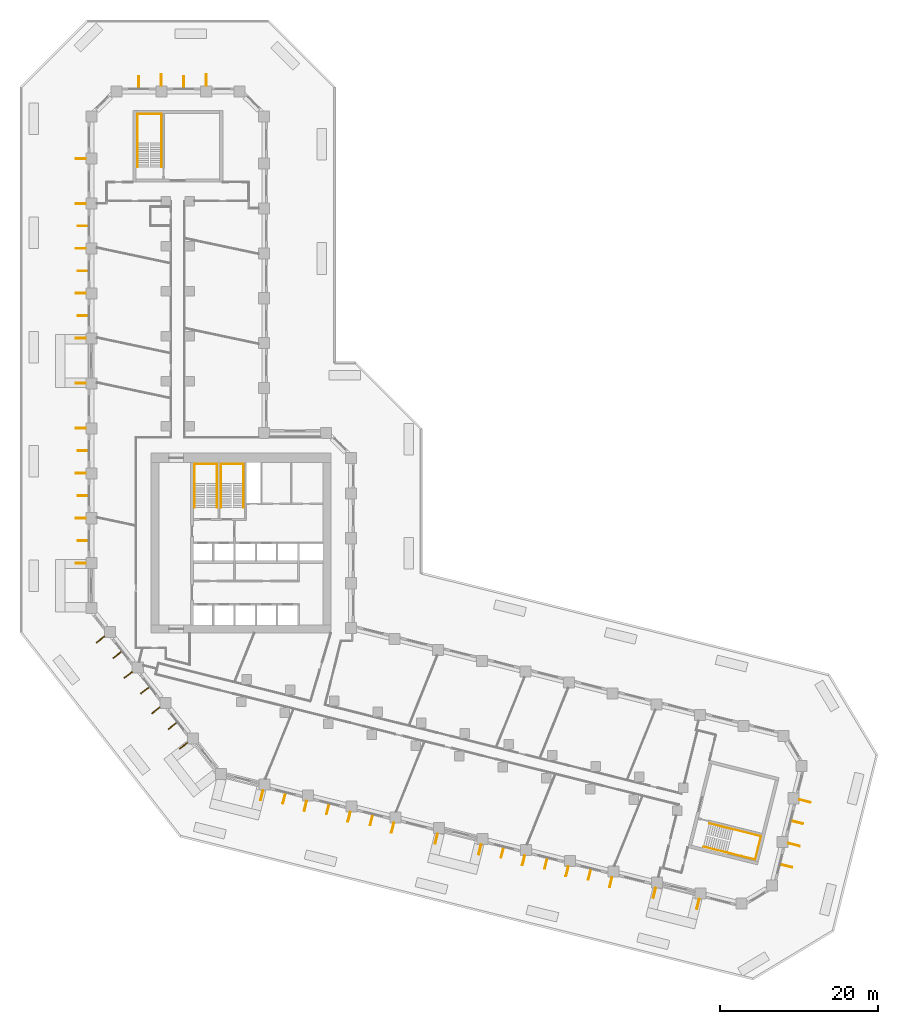
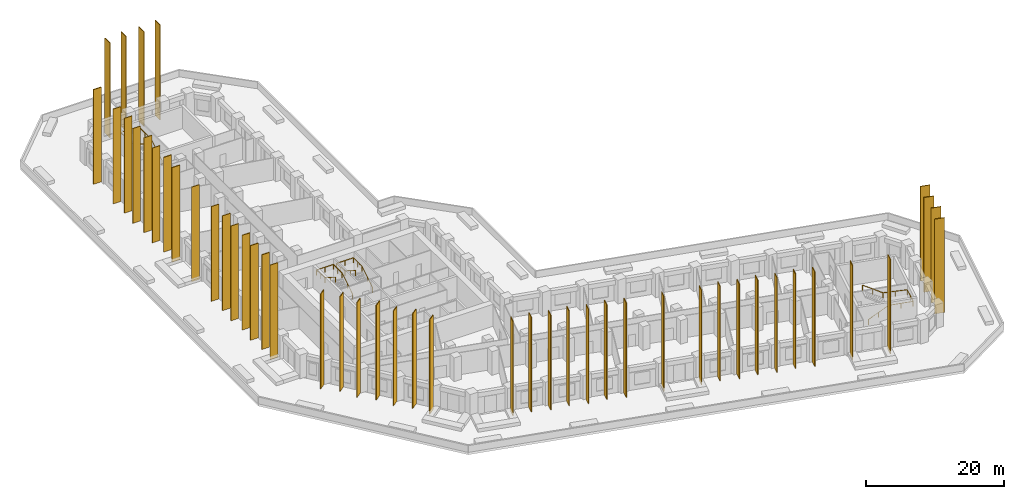
# One storey, part 13 of 13: 48 shading devices, 4 railings.
"""IFC4 building model written with IfcOpenShell, lengths in metres."""

import ifcopenshell
import ifcopenshell.guid

model = None  # the IFC model being written
_history = None  # IfcOwnerHistory: only IFC2X3 demands one
_inside = {}  # id of a spatial element -> (the spatial element, [elements in it])
_under = {}  # id of a project, library or spatial element -> (it, [spatial elements below it])
_declared = {}  # id of a project -> (the project, [libraries it declares])
_typed = {}  # id of a type object -> (the type object, [elements of that type])
_made_of = {}  # id of a material, layer set ... -> (it, [elements and type objects made of it])


def new_model(schema):
    """Start an empty IFC model of exactly this schema.

    Asked for "IFC4X3", IfcOpenShell would pick the latest addendum, in which some entities
    have other attributes; the version numbers below select the first issue.
    IFC2X3 requires an IfcOwnerHistory on every rooted entity: one is made here for all.
    """
    global model, _history
    if schema == "IFC4X3":
        model = ifcopenshell.file(schema_version=(4, 3, 0, 0))
    else:
        model = ifcopenshell.file(schema=schema)
    _inside.clear()
    _under.clear()
    _declared.clear()
    _typed.clear()
    _made_of.clear()
    _history = None
    if model.schema == "IFC2X3":
        org = make("IfcOrganization", Name="unknown")
        user = make(
            "IfcPersonAndOrganization",
            ThePerson=make("IfcPerson", FamilyName="unknown"),
            TheOrganization=org,
        )
        app = make(
            "IfcApplication",
            ApplicationDeveloper=org,
            Version="unknown",
            ApplicationFullName="unknown",
            ApplicationIdentifier="unknown",
        )
        _history = make(
            "IfcOwnerHistory",
            OwningUser=user,
            OwningApplication=app,
            ChangeAction="ADDED",
            CreationDate=0,
        )
    return model


def make(cls, **values):
    """One entity of the class cls with the attributes given. An attribute that is None is left unset."""
    return model.create_entity(
        cls, **{name: value for name, value in values.items() if value is not None}
    )


def rooted(cls, **values):
    """An entity with a GlobalId (a new one), such as an element, a storey or a relation."""
    return make(cls, GlobalId=ifcopenshell.guid.new(), OwnerHistory=_history, **values)


def si_unit(unit_type, name, prefix=None):
    """IfcSIUnit, for example si_unit("LENGTHUNIT", "METRE", prefix="MILLI")."""
    return make("IfcSIUnit", UnitType=unit_type, Prefix=prefix, Name=name)


def assignment(units):
    """IfcUnitAssignment: the units of a project."""
    return None if units is None else make("IfcUnitAssignment", Units=units)


def point(xyz):
    """IfcCartesianPoint."""
    return None if xyz is None else make("IfcCartesianPoint", Coordinates=xyz)


def direction(xyz):
    """IfcDirection."""
    return None if xyz is None else make("IfcDirection", DirectionRatios=xyz)


def frame(location, z_axis=None, x_axis=None):
    """IfcAxis2Placement3D, a coordinate frame: its origin and axes. An axis left out is left unset."""
    return make(
        "IfcAxis2Placement3D",
        Location=point(location),
        Axis=direction(z_axis),
        RefDirection=direction(x_axis),
    )


def frame_2d(location, x_axis=None):
    """IfcAxis2Placement2D, a coordinate frame in the plane: its origin and x axis."""
    return make(
        "IfcAxis2Placement2D", Location=point(location), RefDirection=direction(x_axis)
    )


def origin():
    """The frame at (0, 0, 0) with its axes left unset."""
    return frame((0.0, 0.0, 0.0))


def origin_2d():
    """The frame at (0, 0) in the plane with its x axis left unset."""
    return frame_2d((0.0, 0.0))


def place(relative_to, where):
    """IfcLocalPlacement: puts the frame where relative to a parent placement (None: the world)."""
    return make(
        "IfcLocalPlacement", PlacementRelTo=relative_to, RelativePlacement=where
    )


def context(
    kind, dimensions, precision=None, world=None, true_north=None, identifier=None
):
    """IfcGeometricRepresentationContext, for example the 3D "Model" context."""
    return make(
        "IfcGeometricRepresentationContext",
        ContextIdentifier=identifier,
        ContextType=kind,
        CoordinateSpaceDimension=dimensions,
        Precision=precision,
        WorldCoordinateSystem=world,
        TrueNorth=true_north,
    )


def subcontext(parent, identifier, kind, view, scale=None):
    """IfcGeometricRepresentationSubContext, for example "Body" below "Model"."""
    return make(
        "IfcGeometricRepresentationSubContext",
        ContextIdentifier=identifier,
        ContextType=kind,
        ParentContext=parent,
        TargetScale=scale,
        TargetView=view,
    )


def project(units=None, contexts=None):
    """IfcProject with its units and contexts."""
    return rooted(
        "IfcProject",
        Name="project",
        RepresentationContexts=contexts,
        UnitsInContext=assignment(units),
    )


def spatial(cls, under=None, at=None, **own):
    """A site, building, storey or space (cls), placed at a placement, below another one or the project."""
    s = rooted(cls, ObjectPlacement=at, **own)
    if under is not None:
        _under.setdefault(under.id(), (under, []))[1].append(s)
    return s


def profile(cls, at=None, kind="AREA", **sizes):
    """A parametric profile (cls). Its sizes go by their IFC names, for example OverallWidth=200.0."""
    return make(cls, ProfileType=kind, Position=at, **sizes)


def rectangle(**sizes):
    """IfcRectangleProfileDef."""
    return profile("IfcRectangleProfileDef", **sizes)


def circle(**sizes):
    """IfcCircleProfileDef."""
    return profile("IfcCircleProfileDef", **sizes)


def extrude(swept, where, along, depth):
    """IfcExtrudedAreaSolid: the profile swept, set in the frame where, extruded along a direction by depth."""
    return make(
        "IfcExtrudedAreaSolid",
        SweptArea=swept,
        Position=where,
        ExtrudedDirection=direction(along),
        Depth=depth,
    )


def shape(context_of_items, identifier, shape_type, items):
    """IfcShapeRepresentation: the items that make up one representation, for example the "Body"."""
    return make(
        "IfcShapeRepresentation",
        ContextOfItems=context_of_items,
        RepresentationIdentifier=identifier,
        RepresentationType=shape_type,
        Items=items,
    )


def material(Name=None, Category=None):
    """IfcMaterial."""
    return make("IfcMaterial", Name=Name, Category=Category)


def layer(
    of_material, thickness, ventilated=None, Name=None, Category=None, Priority=None
):
    """IfcMaterialLayer: one layer of a wall or slab, of a material (None: an air gap)."""
    return make(
        "IfcMaterialLayer",
        Material=of_material,
        LayerThickness=thickness,
        IsVentilated=ventilated,
        Name=Name,
        Category=Category,
        Priority=Priority,
    )


def layer_set(layers, Name=None):
    """IfcMaterialLayerSet."""
    return make("IfcMaterialLayerSet", MaterialLayers=layers, LayerSetName=Name)


def made_of(thing, what):
    """Note that an element or type object is made of a material, layer set ...; save() writes the relation."""
    if what is not None:
        _made_of.setdefault(what.id(), (what, []))[1].append(thing)
    return thing


def type_object(cls, material=None, **own):
    """A type object (cls), such as IfcWallType, which elements share."""
    return made_of(rooted(cls, **own), material)


def element(
    cls,
    number,
    at=None,
    inside=None,
    cuts=None,
    type_object=None,
    material=None,
    context=None,
    identifier="Body",
    shape_type=None,
    held_by="IfcProductDefinitionShape",
    body=None,
    shapes=None,
    **own,
):
    """One element of the class cls, such as IfcWall. Its Tag is "e" and its number.

    at: its placement. inside: the storey or other place that contains it. cuts: it is an
    opening in that element (IfcRelVoidsElement). A single representation is given by context,
    identifier, shape_type and body (its items); several are given by shapes. held_by: the class
    of the entity that holds the representations. save() writes the other relations.
    """
    e = rooted(cls, Tag="e%d" % number, ObjectPlacement=at, **own)
    if body is not None:
        shapes = [shape(context, identifier, shape_type, body)]
    if shapes is not None:
        e.Representation = make(held_by, Representations=shapes)
    if inside is not None:
        _inside.setdefault(inside.id(), (inside, []))[1].append(e)
    if cuts is not None:
        rooted(
            "IfcRelVoidsElement", RelatingBuildingElement=cuts, RelatedOpeningElement=e
        )
    if type_object is not None:
        _typed.setdefault(type_object.id(), (type_object, []))[1].append(e)
    return made_of(e, material)


def aggregate(whole, parts):
    """IfcRelAggregates: a whole, such as a stair, and the parts it consists of."""
    return rooted("IfcRelAggregates", RelatingObject=whole, RelatedObjects=parts)


def save(model, path):
    """Write the relations noted so far, then the file.

    IfcRelAggregates (storeys below a building ...), IfcRelContainedInSpatialStructure (elements
    in a storey), IfcRelDefinesByType, IfcRelAssociatesMaterial and IfcRelDeclares: one each for
    every whole, place, type object, material and project.
    """
    for whole, parts in _under.values():
        aggregate(whole, parts)
    for where, things in _inside.values():
        rooted(
            "IfcRelContainedInSpatialStructure",
            RelatedElements=things,
            RelatingStructure=where,
        )
    for kind, things in _typed.values():
        rooted("IfcRelDefinesByType", RelatedObjects=things, RelatingType=kind)
    for what, things in _made_of.values():
        rooted("IfcRelAssociatesMaterial", RelatedObjects=things, RelatingMaterial=what)
    for by, libraries in _declared.values():
        rooted("IfcRelDeclares", RelatingContext=by, RelatedDefinitions=libraries)
    model.write(path)


model = new_model("IFC4")

# Units and contexts
model_context = context("Model", 3, precision=1e-05, world=origin(), true_north=direction((0.0, 1.0)))
body_context = subcontext(model_context, "Body", "Model", "MODEL_VIEW")
ifc_project = project(units=[si_unit("LENGTHUNIT", "METRE"), si_unit("AREAUNIT", "SQUARE_METRE"), si_unit("VOLUMEUNIT", "CUBIC_METRE"), si_unit("PLANEANGLEUNIT", "RADIAN"), si_unit("MASSUNIT", "GRAM", prefix="KILO")], contexts=[model_context])

# Site, building, storey
site_placement = place(None, origin())
site = spatial("IfcSite", under=ifc_project, at=site_placement, CompositionType="ELEMENT")
building_placement = place(site_placement, origin())
building = spatial("IfcBuilding", under=site, at=building_placement, Name="Meshkara Civic Tower", CompositionType="ELEMENT")
storey_placement = place(building_placement, frame((0.0, 0.0, 33.0)))
storey = spatial("IfcBuildingStorey", under=building, at=storey_placement, Name="L06", CompositionType="ELEMENT", Elevation=33.0)

# Shading devices
ifc_material_1 = material(Name="Bronze anodised aluminium", Category="aluminium")
ifc_layer_1 = layer(ifc_material_1, 0.1201171875)
ifc_layer_set_1 = layer_set([ifc_layer_1], Name="BRONZE FIN 1300")
shading_device_type_1 = type_object("IfcShadingDeviceType", Name="BRONZE FIN 1300", PredefinedType="USERDEFINED", material=ifc_layer_set_1)
for number, where, z_axis, x_axis, name in (
    (1, (-0.89990234375, 74.2548828125, 0.0), (0.0, 0.0, 1.0), (0.0, -1.0, 0.0), "Fin"),
    (2, (-0.89990234375, 68.554931640625, 0.0), (0.0, 0.0, 1.0), (0.0, -1.0, 0.0), "Fin"),
    (3, (-0.64990234375, 65.705078125, 0.0), (0.0, 0.0, 1.0), (0.0, -1.0, 0.0), "Fin"),
    (4, (-0.89990234375, 62.85498046875, 0.0), (0.0, 0.0, 1.0), (0.0, -1.0, 0.0), "Fin"),
    (5, (-0.64990234375, 60.0048828125, 0.0), (0.0, 0.0, 1.0), (0.0, -1.0, 0.0), "Fin"),
    (6, (-0.89990234375, 57.155029296875, 0.0), (0.0, 0.0, 1.0), (0.0, -1.0, 0.0), "Fin"),
    (7, (-0.64990234375, 54.304931640625, 0.0), (0.0, 0.0, 1.0), (0.0, -1.0, 0.0), "Fin"),
    (8, (-0.89990234375, 51.455078125, 0.0), (0.0, 0.0, 1.0), (0.0, -1.0, 0.0), "Fin"),
    (9, (-0.89990234375, 45.7548828125, 0.0), (0.0, 0.0, 1.0), (0.0, -1.0, 0.0), "Fin"),
    (10, (-0.89990234375, 40.054931640625, 0.0), (0.0, 0.0, 1.0), (0.0, -1.0, 0.0), "Fin"),
    (11, (-0.64990234375, 37.205078125, 0.0), (0.0, 0.0, 1.0), (0.0, -1.0, 0.0), "Fin"),
    (12, (-0.89990234375, 34.35498046875, 0.0), (0.0, 0.0, 1.0), (0.0, -1.0, 0.0), "Fin"),
    (13, (-0.64990234375, 31.5048828125, 0.0), (0.0, 0.0, 1.0), (0.0, -1.0, 0.0), "Fin"),
    (14, (-0.89990234375, 28.655029296875, 0.0), (0.0, 0.0, 1.0), (0.0, -1.0, 0.0), "Fin"),
    (15, (-0.64990234375, 25.804931640625, 0.0), (0.0, 0.0, 1.0), (0.0, -1.0, 0.0), "Fin"),
    (16, (-0.89990234375, 22.955078125, 0.0), (0.0, 0.0, 1.0), (0.0, -1.0, 0.0), "Fin"),
    (17, (1.60205078125, 13.281982421875, 0.0), (0.0, 0.0, 1.0), (0.615661475326, -0.788010753607, 0.0), "Fin"),
    (18, (3.701904296875, 11.305908203125, 0.0), (0.0, 0.0, 1.0), (0.615661475326, -0.788010753607, 0.0), "Fin"),
    (19, (5.111083984375, 8.7900390625, 0.0), (0.0, 0.0, 1.0), (0.615661475326, -0.788010753607, 0.0), "Fin"),
    (20, (7.2109375, 6.81396484375, 0.0), (0.0, 0.0, 1.0), (0.615661475326, -0.788010753607, 0.0), "Fin"),
    (21, (8.62109375, 4.298095703125, 0.0), (0.0, 0.0, 1.0), (0.615661475326, -0.788010753607, 0.0), "Fin"),
    (22, (10.720947265625, 2.322021484375, 0.0), (0.0, 0.0, 1.0), (0.615661475326, -0.788010753607, 0.0), "Fin"),
    (23, (12.1298828125, -0.193115234375, 0.0), (0.0, 0.0, 1.0), (0.615661475326, -0.788010753607, 0.0), "Fin"),
    (24, (22.050048828125, -6.447998046875, 0.0), (0.0, 0.0, 1.0), (0.970295726276, -0.2419218956, 0.0), "Fin"),
    (25, (24.881103515625, -6.8740234375, 0.0), (0.0, 0.0, 1.0), (0.970295726276, -0.2419218956, 0.0), "Fin"),
    (26, (27.580078125, -7.826904296875, 0.0), (0.0, 0.0, 1.0), (0.970295726276, -0.2419218956, 0.0), "Fin"),
    (27, (30.410888671875, -8.251953125, 0.0), (0.0, 0.0, 1.0), (0.970295726276, -0.2419218956, 0.0), "Fin"),
    (28, (33.111083984375, -9.2060546875, 0.0), (0.0, 0.0, 1.0), (0.970295726276, -0.2419218956, 0.0), "Fin"),
    (29, (35.94189453125, -9.631103515625, 0.0), (0.0, 0.0, 1.0), (0.970295726276, -0.2419218956, 0.0), "Fin"),
    (30, (38.64208984375, -10.5849609375, 0.0), (0.0, 0.0, 1.0), (0.970295726276, -0.2419218956, 0.0), "Fin"),
    (31, (44.173095703125, -11.962890625, 0.0), (0.0, 0.0, 1.0), (0.970295726276, -0.2419218956, 0.0), "Fin"),
    (32, (49.702880859375, -13.342041015625, 0.0), (0.0, 0.0, 1.0), (0.970295726276, -0.2419218956, 0.0), "Fin"),
    (33, (52.533935546875, -13.76806640625, 0.0), (0.0, 0.0, 1.0), (0.970295726276, -0.2419218956, 0.0), "Fin"),
    (34, (55.23388671875, -14.720947265625, 0.0), (0.0, 0.0, 1.0), (0.970295726276, -0.2419218956, 0.0), "Fin"),
    (35, (58.06494140625, -15.14697265625, 0.0), (0.0, 0.0, 1.0), (0.970295726276, -0.2419218956, 0.0), "Fin"),
    (36, (60.764892578125, -16.10009765625, 0.0), (0.0, 0.0, 1.0), (0.970295726276, -0.2419218956, 0.0), "Fin"),
    (37, (63.595947265625, -16.52587890625, 0.0), (0.0, 0.0, 1.0), (0.970295726276, -0.2419218956, 0.0), "Fin"),
    (38, (66.294921875, -17.47900390625, 0.0), (0.0, 0.0, 1.0), (0.970295726276, -0.2419218956, 0.0), "Fin"),
    (39, (71.825927734375, -18.85791015625, 0.0), (0.0, 0.0, 1.0), (0.970295726276, -0.2419218956, 0.0), "Fin"),
    (40, (77.35693359375, -20.237060546875, 0.0), (0.0, 0.0, 1.0), (0.970295726276, -0.2419218956, 0.0), "Fin"),
):
    element("IfcShadingDevice", number, at=place(storey_placement, frame(where, z_axis=z_axis, x_axis=x_axis)), inside=storey, type_object=shading_device_type_1, Name=name, ObjectType="FIN", PredefinedType="USERDEFINED", context=body_context, shape_type="SweptSolid", body=[
        extrude(rectangle(XDim=0.1201171875, YDim=1.300048828125, at=origin_2d()), origin(), (0.0, 0.0, 1.0), 16.800048828125),
    ])
ifc_material_2 = material(Name="Bronze anodised aluminium", Category="aluminium")
ifc_layer_2 = layer(ifc_material_2, 0.1201171875)
ifc_layer_set_2 = layer_set([ifc_layer_2], Name="BRONZE FIN 1500")
shading_device_type_2 = type_object("IfcShadingDeviceType", Name="BRONZE FIN 1500", PredefinedType="USERDEFINED", material=ifc_layer_set_2)
for number, where, z_axis, x_axis, name in (
    (41, (15.006103515625, 84.219970703125, 0.0), (0.0, 0.0, 1.0), (-1.0, 0.0, 0.0), "Fin"),
    (42, (12.156005859375, 83.969970703125, 0.0), (0.0, 0.0, 1.0), (-1.0, 0.0, 0.0), "Fin"),
    (43, (9.305908203125, 84.219970703125, 0.0), (0.0, 0.0, 1.0), (-1.0, 0.0, 0.0), "Fin"),
    (44, (6.4560546875, 83.969970703125, 0.0), (0.0, 0.0, 1.0), (-1.0, 0.0, 0.0), "Fin"),
    (45, (88.568115234375, -15.427978515625, 0.0), (0.0, 0.0, 1.0), (0.2419218956, 0.970295726276, 0.0), "Fin"),
    (46, (89.52099609375, -12.72802734375, 0.0), (0.0, 0.0, 1.0), (0.2419218956, 0.970295726276, 0.0), "Fin"),
    (47, (89.947021484375, -9.89697265625, 0.0), (0.0, 0.0, 1.0), (0.2419218956, 0.970295726276, 0.0), "Fin"),
    (48, (90.89990234375, -7.197998046875, 0.0), (0.0, 0.0, 1.0), (0.2419218956, 0.970295726276, 0.0), "Fin"),
):
    element("IfcShadingDevice", number, at=place(storey_placement, frame(where, z_axis=z_axis, x_axis=x_axis)), inside=storey, type_object=shading_device_type_2, Name=name, ObjectType="FIN", PredefinedType="USERDEFINED", context=body_context, shape_type="SweptSolid", body=[
        extrude(rectangle(XDim=0.1201171875, YDim=1.5, at=origin_2d()), origin(), (0.0, 0.0, 1.0), 16.800048828125),
    ])

# Railings
ifc_material_3 = material(Name="Steel handrail", Category="steel")
railing_type = type_object("IfcRailingType", Name="Stair handrail 900", PredefinedType="HANDRAIL", material=ifc_material_3)
railing_1_placement = place(storey_placement, frame((16.375, 30.0, 0.175048828125)))
element("IfcRailing", 49, at=railing_1_placement, inside=storey, type_object=railing_type, Name="L06 ST1 stair handrail 1", PredefinedType="HANDRAIL", context=body_context, shape_type="SweptSolid", body=[
    extrude(circle(Radius=0.02392578125, at=origin_2d()), frame((0.0, 0.0, 0.8759765625), z_axis=(0.0, 0.847998304005, 0.529998940003), x_axis=(-1.0, 0.0, 0.0)), (0.0, 0.0, 1.0), 3.632080078125),
    extrude(circle(Radius=0.02392578125, at=origin_2d()), frame((0.0, 3.080078125, 2.80078125), z_axis=(0.0, 1.0, 0.0), x_axis=(-1.0, 0.0, 0.0)), (0.0, 0.0, 1.0), 2.469970703125),
    extrude(circle(Radius=0.02392578125, at=origin_2d()), frame((0.0, 5.550048828125, 2.80078125), z_axis=(-1.0, 0.0, 0.0), x_axis=(0.0, -1.0, 0.0)), (0.0, 0.0, 1.0), 2.85009765625),
    extrude(circle(Radius=0.02392578125, at=origin_2d()), frame((-2.85009765625, 5.550048828125, 2.80078125), z_axis=(0.0, -0.997505032726, 0.070595394231), x_axis=(1.0, 0.0, 0.0)), (0.0, 0.0, 1.0), 2.47607421875),
    extrude(circle(Radius=0.02392578125, at=origin_2d()), frame((-2.85009765625, 3.080078125, 2.9755859375), z_axis=(0.0, -0.847998304005, 0.529998940003), x_axis=(1.0, 0.0, 0.0)), (0.0, 0.0, 1.0), 3.632080078125),
    extrude(circle(Radius=0.02099609375, at=origin_2d()), origin(), (0.0, 0.0, 1.0), 0.851806640625),
    extrude(circle(Radius=0.02099609375, at=origin_2d()), frame((0.0, 1.5400390625, 0.96240234375)), (0.0, 0.0, 1.0), 0.851806640625),
    extrude(circle(Radius=0.02099609375, at=origin_2d()), frame((0.0, 3.080078125, 1.925048828125)), (0.0, 0.0, 1.0), 0.851806640625),
    extrude(circle(Radius=0.02099609375, at=origin_2d()), frame((0.0, 4.31494140625, 1.925048828125)), (0.0, 0.0, 1.0), 0.851806640625),
    extrude(circle(Radius=0.02099609375, at=origin_2d()), frame((0.0, 5.550048828125, 1.925048828125)), (0.0, 0.0, 1.0), 0.851806640625),
    extrude(circle(Radius=0.02099609375, at=origin_2d()), frame((-1.425048828125, 5.550048828125, 1.925048828125)), (0.0, 0.0, 1.0), 0.851806640625),
    extrude(circle(Radius=0.02099609375, at=origin_2d()), frame((-2.85009765625, 5.550048828125, 1.925048828125)), (0.0, 0.0, 1.0), 0.851806640625),
    extrude(circle(Radius=0.02099609375, at=origin_2d()), frame((-2.85009765625, 4.31494140625, 2.012451171875)), (0.0, 0.0, 1.0), 0.851806640625),
    extrude(circle(Radius=0.02099609375, at=origin_2d()), frame((-2.85009765625, 3.080078125, 2.099853515625)), (0.0, 0.0, 1.0), 0.851806640625),
    extrude(circle(Radius=0.02099609375, at=origin_2d()), frame((-2.85009765625, 1.5400390625, 3.0625)), (0.0, 0.0, 1.0), 0.851806640625),
    extrude(circle(Radius=0.02099609375, at=origin_2d()), frame((-2.85009765625, 0.0, 4.02490234375)), (0.0, 0.0, 1.0), 0.851806640625),
])
railing_2_placement = place(storey_placement, frame((19.72509765625, 30.0, 0.175048828125)))
element("IfcRailing", 50, at=railing_2_placement, inside=storey, type_object=railing_type, Name="L06 ST2 stair handrail 1", PredefinedType="HANDRAIL", context=body_context, shape_type="SweptSolid", body=[
    extrude(circle(Radius=0.02392578125, at=origin_2d()), frame((0.0, 0.0, 0.8759765625), z_axis=(0.0, 0.847998304005, 0.529998940003), x_axis=(-1.0, 0.0, 0.0)), (0.0, 0.0, 1.0), 3.632080078125),
    extrude(circle(Radius=0.02392578125, at=origin_2d()), frame((0.0, 3.080078125, 2.80078125), z_axis=(0.0, 1.0, 0.0), x_axis=(-1.0, 0.0, 0.0)), (0.0, 0.0, 1.0), 2.469970703125),
    extrude(circle(Radius=0.02392578125, at=origin_2d()), frame((0.0, 5.550048828125, 2.80078125), z_axis=(-1.0, 0.0, 0.0), x_axis=(0.0, -1.0, 0.0)), (0.0, 0.0, 1.0), 2.85009765625),
    extrude(circle(Radius=0.02392578125, at=origin_2d()), frame((-2.85009765625, 5.550048828125, 2.80078125), z_axis=(0.0, -0.997505032726, 0.070595394231), x_axis=(1.0, 0.0, 0.0)), (0.0, 0.0, 1.0), 2.47607421875),
    extrude(circle(Radius=0.02392578125, at=origin_2d()), frame((-2.85009765625, 3.080078125, 2.9755859375), z_axis=(0.0, -0.847998304005, 0.529998940003), x_axis=(1.0, 0.0, 0.0)), (0.0, 0.0, 1.0), 3.632080078125),
    extrude(circle(Radius=0.02099609375, at=origin_2d()), origin(), (0.0, 0.0, 1.0), 0.851806640625),
    extrude(circle(Radius=0.02099609375, at=origin_2d()), frame((0.0, 1.5400390625, 0.96240234375)), (0.0, 0.0, 1.0), 0.851806640625),
    extrude(circle(Radius=0.02099609375, at=origin_2d()), frame((0.0, 3.080078125, 1.925048828125)), (0.0, 0.0, 1.0), 0.851806640625),
    extrude(circle(Radius=0.02099609375, at=origin_2d()), frame((0.0, 4.31494140625, 1.925048828125)), (0.0, 0.0, 1.0), 0.851806640625),
    extrude(circle(Radius=0.02099609375, at=origin_2d()), frame((0.0, 5.550048828125, 1.925048828125)), (0.0, 0.0, 1.0), 0.851806640625),
    extrude(circle(Radius=0.02099609375, at=origin_2d()), frame((-1.425048828125, 5.550048828125, 1.925048828125)), (0.0, 0.0, 1.0), 0.851806640625),
    extrude(circle(Radius=0.02099609375, at=origin_2d()), frame((-2.85009765625, 5.550048828125, 1.925048828125)), (0.0, 0.0, 1.0), 0.851806640625),
    extrude(circle(Radius=0.02099609375, at=origin_2d()), frame((-2.85009765625, 4.31494140625, 2.012451171875)), (0.0, 0.0, 1.0), 0.851806640625),
    extrude(circle(Radius=0.02099609375, at=origin_2d()), frame((-2.85009765625, 3.080078125, 2.099853515625)), (0.0, 0.0, 1.0), 0.851806640625),
    extrude(circle(Radius=0.02099609375, at=origin_2d()), frame((-2.85009765625, 1.5400390625, 3.0625)), (0.0, 0.0, 1.0), 0.851806640625),
    extrude(circle(Radius=0.02099609375, at=origin_2d()), frame((-2.85009765625, 0.0, 4.02490234375)), (0.0, 0.0, 1.0), 0.851806640625),
])
railing_3_placement = place(storey_placement, frame((9.324951171875, 73.169921875, 0.175048828125)))
element("IfcRailing", 51, at=railing_3_placement, inside=storey, type_object=railing_type, Name="L06 ESA1 stair handrail 1", PredefinedType="HANDRAIL", context=body_context, shape_type="SweptSolid", body=[
    extrude(circle(Radius=0.02392578125, at=origin_2d()), frame((0.0, 0.0, 0.8759765625), z_axis=(0.0, 0.847998304005, 0.529998940003), x_axis=(-1.0, 0.0, 0.0)), (0.0, 0.0, 1.0), 3.632080078125),
    extrude(circle(Radius=0.02392578125, at=origin_2d()), frame((0.0, 3.080078125, 2.80078125), z_axis=(0.0, 1.0, 0.0), x_axis=(-1.0, 0.0, 0.0)), (0.0, 0.0, 1.0), 3.669921875),
    extrude(circle(Radius=0.02392578125, at=origin_2d()), frame((0.0, 6.75, 2.80078125), z_axis=(-1.0, 0.0, 0.0), x_axis=(0.0, -1.0, 0.0)), (0.0, 0.0, 1.0), 3.050048828125),
    extrude(circle(Radius=0.02392578125, at=origin_2d()), frame((-3.050048828125, 6.75, 2.80078125), z_axis=(0.0, -0.998867536292, 0.047577777806), x_axis=(1.0, 0.0, 0.0)), (0.0, 0.0, 1.0), 3.674072265625),
    extrude(circle(Radius=0.02392578125, at=origin_2d()), frame((-3.050048828125, 3.080078125, 2.9755859375), z_axis=(0.0, -0.847998304005, 0.529998940003), x_axis=(1.0, 0.0, 0.0)), (0.0, 0.0, 1.0), 3.632080078125),
    extrude(circle(Radius=0.02099609375, at=origin_2d()), origin(), (0.0, 0.0, 1.0), 0.851806640625),
    extrude(circle(Radius=0.02099609375, at=origin_2d()), frame((0.0, 1.5400390625, 0.96240234375)), (0.0, 0.0, 1.0), 0.851806640625),
    extrude(circle(Radius=0.02099609375, at=origin_2d()), frame((0.0, 3.080078125, 1.925048828125)), (0.0, 0.0, 1.0), 0.851806640625),
    extrude(circle(Radius=0.02099609375, at=origin_2d()), frame((0.0, 4.9150390625, 1.925048828125)), (0.0, 0.0, 1.0), 0.851806640625),
    extrude(circle(Radius=0.02099609375, at=origin_2d()), frame((0.0, 6.75, 1.925048828125)), (0.0, 0.0, 1.0), 0.851806640625),
    extrude(circle(Radius=0.02099609375, at=origin_2d()), frame((-1.52490234375, 6.75, 1.925048828125)), (0.0, 0.0, 1.0), 0.851806640625),
    extrude(circle(Radius=0.02099609375, at=origin_2d()), frame((-3.050048828125, 6.75, 1.925048828125)), (0.0, 0.0, 1.0), 0.851806640625),
    extrude(circle(Radius=0.02099609375, at=origin_2d()), frame((-3.050048828125, 4.9150390625, 2.012451171875)), (0.0, 0.0, 1.0), 0.851806640625),
    extrude(circle(Radius=0.02099609375, at=origin_2d()), frame((-3.050048828125, 3.080078125, 2.099853515625)), (0.0, 0.0, 1.0), 0.851806640625),
    extrude(circle(Radius=0.02099609375, at=origin_2d()), frame((-3.050048828125, 1.5400390625, 3.0625)), (0.0, 0.0, 1.0), 0.851806640625),
    extrude(circle(Radius=0.02099609375, at=origin_2d()), frame((-3.050048828125, 0.0, 4.02490234375)), (0.0, 0.0, 1.0), 0.851806640625),
])
railing_4_placement = place(storey_placement, frame((78.045166015625, -12.99169921875, 0.175048828125)))
element("IfcRailing", 52, at=railing_4_placement, inside=storey, type_object=railing_type, Name="L06 ESB1 stair handrail 1", PredefinedType="HANDRAIL", context=body_context, shape_type="SweptSolid", body=[
    extrude(circle(Radius=0.02392578125, at=origin_2d()), frame((0.0, 0.0, 0.8759765625), z_axis=(0.822781968105, -0.205275396666, 0.529992306062), x_axis=(0.242069343812, 0.970258951408, 0.0)), (0.0, 0.0, 1.0), 3.63232421875),
    extrude(circle(Radius=0.02392578125, at=origin_2d()), frame((2.988525390625, -0.74560546875, 2.80078125), z_axis=(0.970255876456, -0.242081668456, 0.0), x_axis=(0.242081668456, 0.970255876456, 0.0)), (0.0, 0.0, 1.0), 3.669921875),
    extrude(circle(Radius=0.02392578125, at=origin_2d()), frame((6.54931640625, -1.634033203125, 2.80078125), z_axis=(0.242064726708, 0.970260103315, 0.0), x_axis=(-0.970260103315, 0.242064726708, 0.0)), (0.0, 0.0, 1.0), 3.050048828125),
    extrude(circle(Radius=0.02392578125, at=origin_2d()), frame((7.28759765625, 1.3251953125, 2.80078125), z_axis=(-0.969157113986, 0.241807524018, 0.047577407858), x_axis=(-0.242081668456, -0.970255876456, 0.0)), (0.0, 0.0, 1.0), 3.674072265625),
    extrude(circle(Radius=0.02392578125, at=origin_2d()), frame((3.726806640625, 2.213623046875, 2.9755859375), z_axis=(-0.822781968105, 0.205275396666, 0.529992306062), x_axis=(-0.242069343812, -0.970258951408, 0.0)), (0.0, 0.0, 1.0), 3.63232421875),
    extrude(circle(Radius=0.02099609375, at=origin_2d()), origin(), (0.0, 0.0, 1.0), 0.851806640625),
    extrude(circle(Radius=0.02099609375, at=origin_2d()), frame((1.494140625, -0.372802734375, 0.96240234375)), (0.0, 0.0, 1.0), 0.851806640625),
    extrude(circle(Radius=0.02099609375, at=origin_2d()), frame((2.988525390625, -0.74560546875, 1.925048828125)), (0.0, 0.0, 1.0), 0.851806640625),
    extrude(circle(Radius=0.02099609375, at=origin_2d()), frame((4.76904296875, -1.18994140625, 1.925048828125)), (0.0, 0.0, 1.0), 0.851806640625),
    extrude(circle(Radius=0.02099609375, at=origin_2d()), frame((6.54931640625, -1.634033203125, 1.925048828125)), (0.0, 0.0, 1.0), 0.851806640625),
    extrude(circle(Radius=0.02099609375, at=origin_2d()), frame((6.91845703125, -0.154296875, 1.925048828125)), (0.0, 0.0, 1.0), 0.851806640625),
    extrude(circle(Radius=0.02099609375, at=origin_2d()), frame((7.28759765625, 1.3251953125, 1.925048828125)), (0.0, 0.0, 1.0), 0.851806640625),
    extrude(circle(Radius=0.02099609375, at=origin_2d()), frame((5.50732421875, 1.76953125, 2.012451171875)), (0.0, 0.0, 1.0), 0.851806640625),
    extrude(circle(Radius=0.02099609375, at=origin_2d()), frame((3.726806640625, 2.213623046875, 2.099853515625)), (0.0, 0.0, 1.0), 0.851806640625),
    extrude(circle(Radius=0.02099609375, at=origin_2d()), frame((2.232421875, 2.58642578125, 3.0625)), (0.0, 0.0, 1.0), 0.851806640625),
    extrude(circle(Radius=0.02099609375, at=origin_2d()), frame((0.73828125, 2.959228515625, 4.02490234375)), (0.0, 0.0, 1.0), 0.851806640625),
])

save(model, "model.ifc")
